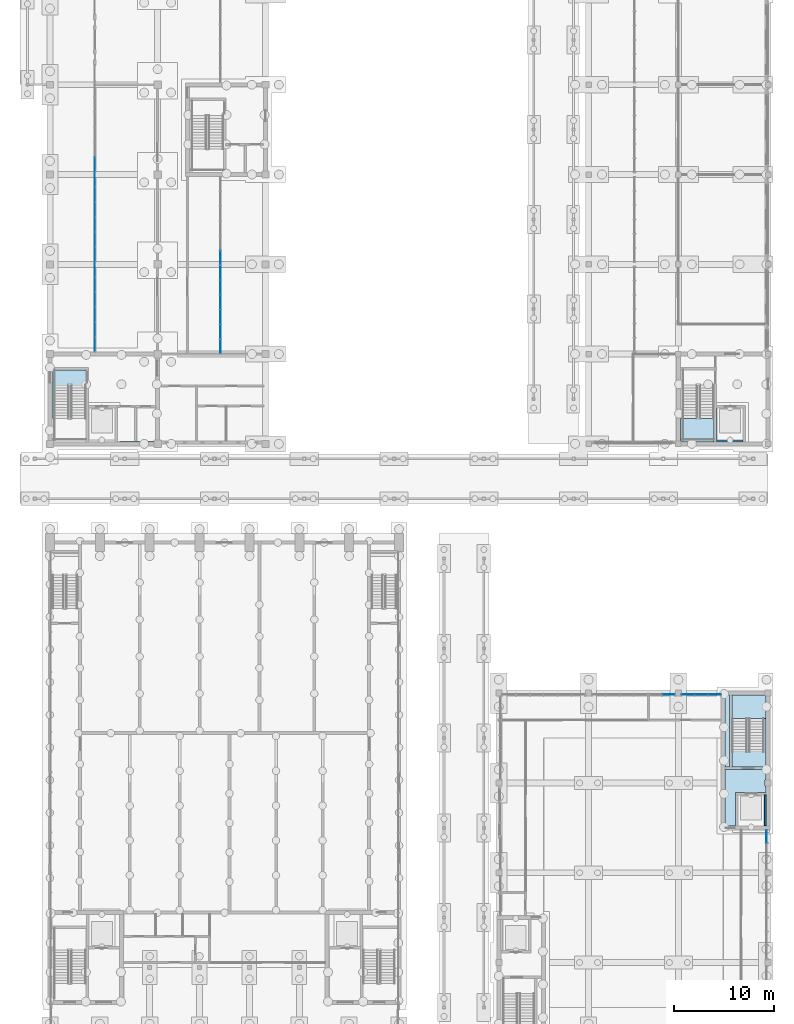
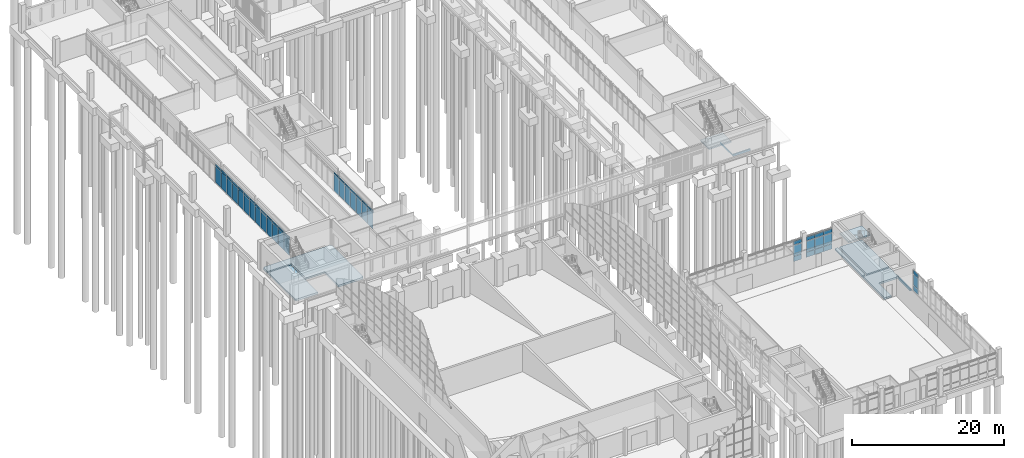
# One storey, part 58 of 106: 55 plates, 9 slabs, 7 elements without a shape of their own.
"""IFC4 building model written with IfcOpenShell, lengths in metres."""

from ifc_helpers import new_model, si_unit, direction, frame, origin, origin_2d, place, context, subcontext, project, spatial, polyline, rectangle, outline, extrude, material, layer, layer_set, type_object, element, aggregate, save


model = new_model("IFC4")

# Units and contexts
model_context = context("Model", 3, precision=1e-05, world=origin(), true_north=direction((0.0, 1.0)))
body_context = subcontext(model_context, "Body", "Model", "MODEL_VIEW")
ifc_project = project(units=[si_unit("LENGTHUNIT", "METRE"), si_unit("AREAUNIT", "SQUARE_METRE"), si_unit("VOLUMEUNIT", "CUBIC_METRE"), si_unit("PLANEANGLEUNIT", "RADIAN"), si_unit("MASSUNIT", "GRAM", prefix="KILO")], contexts=[model_context])

# Site, building, storey
site_placement = place(None, origin())
site = spatial("IfcSite", under=ifc_project, at=site_placement, CompositionType="ELEMENT")
building_placement = place(site_placement, origin())
building = spatial("IfcBuilding", under=site, at=building_placement, Name="Merrow Basin Faculty of Sciences", CompositionType="ELEMENT")
storey_placement = place(building_placement, origin())
storey = spatial("IfcBuildingStorey", under=building, at=storey_placement, Name="L00", CompositionType="ELEMENT", Elevation=0.0)

# Slabs
ifc_material_1 = material(Name="Concrete C40/50", Category="concrete")
ifc_layer_1 = layer(ifc_material_1, 0.300048828125)
ifc_layer_set_1 = layer_set([ifc_layer_1], Name="Ground slab 300 Concrete C40/50")
slab_type_1 = type_object("IfcSlabType", Name="Ground slab 300 Concrete C40/50", PredefinedType="BASESLAB", material=ifc_layer_set_1)
slab_1_placement = place(storey_placement, frame((0.0, 0.0, -0.300048828125)))
element("IfcSlab", 1, at=slab_1_placement, inside=storey, type_object=slab_type_1, Name="SL3 ground L00 012", PredefinedType="BASESLAB", context=body_context, shape_type="SweptSolid", body=[
    extrude(outline(polyline([(69.5, 61.199951171875), (66.85009765625, 61.199951171875), (66.85009765625, 64.60009765625), (66.89990234375, 64.60009765625), (66.89990234375, 61.39990234375), (69.5, 61.39990234375), (69.5, 61.199951171875)])), origin(), (0.0, 0.0, 1.0), 0.300048828125),
])
slab_2_placement = place(storey_placement, frame((0.0, 0.0, -0.300048828125)))
element("IfcSlab", 2, at=slab_2_placement, inside=storey, type_object=slab_type_1, Name="SL3 ground L00 002", PredefinedType="BASESLAB", context=body_context, shape_type="SweptSolid", body=[
    extrude(outline(polyline([(68.39990234375, 28.60009765625), (68.39990234375, 35.800048828125), (71.699951171875, 35.800048828125), (71.699951171875, 35.699951171875), (71.800048828125, 35.699951171875), (71.800048828125, 28.60009765625), (68.39990234375, 28.60009765625)])), origin(), (0.0, 0.0, 1.0), 0.300048828125),
])
slab_3_placement = place(storey_placement, frame((0.0, 0.0, -0.300048828125)))
element("IfcSlab", 3, at=slab_3_placement, inside=storey, type_object=slab_type_1, Name="SL3 ground L00 004", PredefinedType="BASESLAB", context=body_context, shape_type="SweptSolid", body=[
    extrude(outline(polyline([(71.800048828125, 26.050048828125), (68.75, 26.050048828125), (68.75, 25.800048828125), (68.75, 22.699951171875), (67.699951171875, 22.699951171875), (67.699951171875, 28.35009765625), (71.800048828125, 28.35009765625), (71.800048828125, 27.300048828125), (71.699951171875, 27.300048828125), (71.699951171875, 26.699951171875), (71.800048828125, 26.699951171875), (71.800048828125, 26.050048828125)])), origin(), (0.0, 0.0, 1.0), 0.300048828125),
])
slab_4_placement = place(storey_placement, frame((0.0, 0.0, -0.300048828125)))
element("IfcSlab", 4, at=slab_4_placement, inside=storey, type_object=slab_type_1, Name="SL3 ground L00 007", PredefinedType="BASESLAB", context=body_context, shape_type="SweptSolid", body=[
    extrude(outline(polyline([(67.699951171875, 28.60009765625), (67.699951171875, 35.800048828125), (68.14990234375, 35.800048828125), (68.14990234375, 28.60009765625), (67.699951171875, 28.60009765625)])), origin(), (0.0, 0.0, 1.0), 0.300048828125),
])
slab_5_placement = place(storey_placement, frame((0.0, 0.0, -0.300048828125)))
element("IfcSlab", 5, at=slab_5_placement, inside=storey, type_object=slab_type_1, Name="SL3 ground L00 008", PredefinedType="BASESLAB", context=body_context, shape_type="SweptSolid", body=[
    extrude(outline(polyline([(71.800048828125, 25.800048828125), (71.800048828125, 22.699951171875), (71.60009765625, 22.699951171875), (71.60009765625, 25.800048828125), (71.800048828125, 25.800048828125)])), origin(), (0.0, 0.0, 1.0), 0.300048828125),
])
slab_6_placement = place(storey_placement, frame((0.0, 0.0, -0.300048828125)))
element("IfcSlab", 6, at=slab_6_placement, inside=storey, type_object=slab_type_1, Name="SL3 ground L00 002", PredefinedType="BASESLAB", context=body_context, shape_type="SweptSolid", body=[
    extrude(outline(polyline([(0.35009765625, 69.800048828125), (10.425048828125, 69.800048828125), (10.425048828125, 69.625), (10.60009765625, 69.625), (10.60009765625, 61.375), (10.425048828125, 61.375), (10.425048828125, 61.199951171875), (6.75, 61.199951171875), (6.75, 64.60009765625), (6.75, 64.85009765625), (3.85009765625, 64.85009765625), (3.85009765625, 68.39990234375), (3.85009765625, 68.64990234375), (0.199951171875, 68.64990234375), (0.199951171875, 69.64990234375), (0.35009765625, 69.64990234375), (0.35009765625, 69.800048828125)])), origin(), (0.0, 0.0, 1.0), 0.300048828125),
])
slab_7_placement = place(storey_placement, frame((0.0, 0.0, -0.300048828125)))
element("IfcSlab", 7, at=slab_7_placement, inside=storey, type_object=slab_type_1, Name="SL3 ground L00 007", PredefinedType="BASESLAB", context=body_context, shape_type="SweptSolid", body=[
    extrude(outline(polyline([(3.60009765625, 68.39990234375), (3.60009765625, 61.199951171875), (0.35009765625, 61.199951171875), (0.35009765625, 61.35009765625), (0.199951171875, 61.35009765625), (0.199951171875, 68.39990234375), (3.60009765625, 68.39990234375)])), origin(), (0.0, 0.0, 1.0), 0.300048828125),
])

# Curtain wall, plate
ifc_material_2 = material(Name="Aluminium alloy 6063", Category="aluminium")
curtain_wall_type_1 = type_object("IfcCurtainWallType", Name="Atrium concourse curtain wall 300", PredefinedType="NOTDEFINED", material=ifc_material_2)
curtain_wall_1_placement = place(storey_placement, origin())
curtain_wall_1 = element("IfcCurtainWall", 8, at=curtain_wall_1_placement, inside=storey, type_object=curtain_wall_type_1, Name="N curtain wall L00 3", PredefinedType="NOTDEFINED")
ifc_material_3 = material(Name="Insulated aluminium spandrel panel", Category="aluminium")
ifc_layer_2 = layer(ifc_material_3, 0.052001953125)
ifc_layer_set_2 = layer_set([ifc_layer_2], Name="Insulated spandrel panel 52")
plate_type_1 = type_object("IfcPlateType", Name="Insulated spandrel panel 52", PredefinedType="CURTAIN_PANEL", material=ifc_layer_set_2)
plate_1_placement = place(storey_placement, frame((62.02880859375, 35.85009765625, 0.06005859375), z_axis=(0.0, 0.0, 1.0), x_axis=(1.0, 0.0, 0.0)))
plate_1 = element("IfcPlate", 9, at=plate_1_placement, type_object=plate_type_1, Name="CW6 panel 2.1", PredefinedType="CURTAIN_PANEL", context=body_context, shape_type="SweptSolid", body=[
    extrude(rectangle(XDim=1.222412109375, YDim=0.052001953125, at=origin_2d()), origin(), (0.0, 0.0, 1.0), 0.81005859375),
])

# Curtain wall, plates
curtain_wall_2_placement = place(storey_placement, origin())
curtain_wall_2 = element("IfcCurtainWall", 10, at=curtain_wall_2_placement, inside=storey, type_object=curtain_wall_type_1, Name="N curtain wall L00 4", PredefinedType="NOTDEFINED")
plate_2_placement = place(storey_placement, frame((63.981689453125, 35.85009765625, 0.06005859375), z_axis=(0.0, 0.0, 1.0), x_axis=(1.0, 0.0, 0.0)))
plate_2 = element("IfcPlate", 11, at=plate_2_placement, type_object=plate_type_1, Name="CW6 panel 1.1", PredefinedType="CURTAIN_PANEL", context=body_context, shape_type="SweptSolid", body=[
    extrude(rectangle(XDim=1.243408203125, YDim=0.052001953125, at=origin_2d()), origin(), (0.0, 0.0, 1.0), 0.81005859375),
])
plate_3_placement = place(storey_placement, frame((65.300048828125, 35.85009765625, 0.06005859375), z_axis=(0.0, 0.0, 1.0), x_axis=(1.0, 0.0, 0.0)))
plate_3 = element("IfcPlate", 12, at=plate_3_placement, type_object=plate_type_1, Name="CW6 panel 2.1", PredefinedType="CURTAIN_PANEL", context=body_context, shape_type="SweptSolid", body=[
    extrude(rectangle(XDim=1.2734375, YDim=0.052001953125, at=origin_2d()), origin(), (0.0, 0.0, 1.0), 0.81005859375),
])
plate_4_placement = place(storey_placement, frame((66.618408203125, 35.85009765625, 0.06005859375), z_axis=(0.0, 0.0, 1.0), x_axis=(1.0, 0.0, 0.0)))
plate_4 = element("IfcPlate", 13, at=plate_4_placement, type_object=plate_type_1, Name="CW6 panel 3.1", PredefinedType="CURTAIN_PANEL", context=body_context, shape_type="SweptSolid", body=[
    extrude(rectangle(XDim=1.243408203125, YDim=0.052001953125, at=origin_2d()), origin(), (0.0, 0.0, 1.0), 0.81005859375),
])

# Curtain wall, plate
curtain_wall_3_placement = place(storey_placement, origin())
curtain_wall_3 = element("IfcCurtainWall", 14, at=curtain_wall_3_placement, inside=storey, type_object=curtain_wall_type_1, Name="E curtain wall L00 4", PredefinedType="NOTDEFINED")
plate_5_placement = place(storey_placement, frame((71.85009765625, 21.618408203125, 0.06005859375), z_axis=(0.0, 0.0, 1.0), x_axis=(0.0, 1.0, 0.0)))
plate_5 = element("IfcPlate", 15, at=plate_5_placement, type_object=plate_type_1, Name="CW6 panel 3.1", PredefinedType="CURTAIN_PANEL", context=body_context, shape_type="SweptSolid", body=[
    extrude(rectangle(XDim=1.243408203125, YDim=0.052001953125, at=origin_2d()), origin(), (0.0, 0.0, 1.0), 0.81005859375),
])

# Curtain wall, plates
ifc_material_4 = material(Name="Aluminium alloy 6063", Category="aluminium")
curtain_wall_type_2 = type_object("IfcCurtainWallType", Name="Bar ground curtain wall 200", PredefinedType="NOTDEFINED", material=ifc_material_4)
curtain_wall_4_placement = place(storey_placement, origin())
curtain_wall_4 = element("IfcCurtainWall", 16, at=curtain_wall_4_placement, inside=storey, type_object=curtain_wall_type_2, Name="Ground curtain wall L00 1", PredefinedType="NOTDEFINED")
ifc_material_5 = material(Name="Laminated safety glass", Category="glass")
ifc_layer_3 = layer(ifc_material_5, 0.035888671875)
ifc_layer_set_3 = layer_set([ifc_layer_3], Name="Laminated safety glass panel 36")
plate_type_2 = type_object("IfcPlateType", Name="Laminated safety glass panel 36", PredefinedType="CURTAIN_PANEL", material=ifc_layer_set_3)
plate_6_placement = place(storey_placement, frame((4.5, 70.9677734375, 0.06005859375), z_axis=(0.0, 0.0, 1.0), x_axis=(0.0, 1.0, 0.0)))
plate_6 = element("IfcPlate", 17, at=plate_6_placement, type_object=plate_type_2, Name="CW2 panel 1.1", PredefinedType="CURTAIN_PANEL", context=body_context, shape_type="SweptSolid", body=[
    extrude(rectangle(XDim=1.41552734375, YDim=0.035888671875, at=origin_2d()), origin(), (0.0, 0.0, 1.0), 2.610107421875),
])
plate_7_placement = place(storey_placement, frame((4.5, 70.9677734375, 2.72998046875), z_axis=(0.0, 0.0, 1.0), x_axis=(0.0, 1.0, 0.0)))
plate_7 = element("IfcPlate", 18, at=plate_7_placement, type_object=plate_type_2, Name="CW2 panel 1.2", PredefinedType="CURTAIN_PANEL", context=body_context, shape_type="SweptSolid", body=[
    extrude(rectangle(XDim=1.41552734375, YDim=0.035888671875, at=origin_2d()), origin(), (0.0, 0.0, 1.0), 0.35009765625),
])
plate_8_placement = place(storey_placement, frame((4.5, 72.458251953125, 0.06005859375), z_axis=(0.0, 0.0, 1.0), x_axis=(0.0, 1.0, 0.0)))
plate_8 = element("IfcPlate", 19, at=plate_8_placement, type_object=plate_type_2, Name="CW2 panel 2.1", PredefinedType="CURTAIN_PANEL", context=body_context, shape_type="SweptSolid", body=[
    extrude(rectangle(XDim=1.445556640625, YDim=0.035888671875, at=origin_2d()), origin(), (0.0, 0.0, 1.0), 2.610107421875),
])
plate_9_placement = place(storey_placement, frame((4.5, 72.458251953125, 2.72998046875), z_axis=(0.0, 0.0, 1.0), x_axis=(0.0, 1.0, 0.0)))
plate_9 = element("IfcPlate", 20, at=plate_9_placement, type_object=plate_type_2, Name="CW2 panel 2.2", PredefinedType="CURTAIN_PANEL", context=body_context, shape_type="SweptSolid", body=[
    extrude(rectangle(XDim=1.445556640625, YDim=0.035888671875, at=origin_2d()), origin(), (0.0, 0.0, 1.0), 0.35009765625),
])
plate_10_placement = place(storey_placement, frame((4.5, 73.9638671875, 0.06005859375), z_axis=(0.0, 0.0, 1.0), x_axis=(0.0, 1.0, 0.0)))
plate_10 = element("IfcPlate", 21, at=plate_10_placement, type_object=plate_type_2, Name="CW2 panel 3.1", PredefinedType="CURTAIN_PANEL", context=body_context, shape_type="SweptSolid", body=[
    extrude(rectangle(XDim=1.445556640625, YDim=0.035888671875, at=origin_2d()), origin(), (0.0, 0.0, 1.0), 2.610107421875),
])
plate_11_placement = place(storey_placement, frame((4.5, 73.9638671875, 2.72998046875), z_axis=(0.0, 0.0, 1.0), x_axis=(0.0, 1.0, 0.0)))
plate_11 = element("IfcPlate", 22, at=plate_11_placement, type_object=plate_type_2, Name="CW2 panel 3.2", PredefinedType="CURTAIN_PANEL", context=body_context, shape_type="SweptSolid", body=[
    extrude(rectangle(XDim=1.445556640625, YDim=0.035888671875, at=origin_2d()), origin(), (0.0, 0.0, 1.0), 0.35009765625),
])
plate_12_placement = place(storey_placement, frame((4.5, 75.469482421875, 0.06005859375), z_axis=(0.0, 0.0, 1.0), x_axis=(0.0, 1.0, 0.0)))
plate_12 = element("IfcPlate", 23, at=plate_12_placement, type_object=plate_type_2, Name="CW2 panel 4.1", PredefinedType="CURTAIN_PANEL", context=body_context, shape_type="SweptSolid", body=[
    extrude(rectangle(XDim=1.445556640625, YDim=0.035888671875, at=origin_2d()), origin(), (0.0, 0.0, 1.0), 2.610107421875),
])
plate_13_placement = place(storey_placement, frame((4.5, 75.469482421875, 2.72998046875), z_axis=(0.0, 0.0, 1.0), x_axis=(0.0, 1.0, 0.0)))
plate_13 = element("IfcPlate", 24, at=plate_13_placement, type_object=plate_type_2, Name="CW2 panel 4.2", PredefinedType="CURTAIN_PANEL", context=body_context, shape_type="SweptSolid", body=[
    extrude(rectangle(XDim=1.445556640625, YDim=0.035888671875, at=origin_2d()), origin(), (0.0, 0.0, 1.0), 0.35009765625),
])
plate_14_placement = place(storey_placement, frame((4.5, 76.97509765625, 0.06005859375), z_axis=(0.0, 0.0, 1.0), x_axis=(0.0, 1.0, 0.0)))
plate_14 = element("IfcPlate", 25, at=plate_14_placement, type_object=plate_type_2, Name="CW2 panel 5.1", PredefinedType="CURTAIN_PANEL", context=body_context, shape_type="SweptSolid", body=[
    extrude(rectangle(XDim=1.445556640625, YDim=0.035888671875, at=origin_2d()), origin(), (0.0, 0.0, 1.0), 2.610107421875),
])
plate_15_placement = place(storey_placement, frame((4.5, 76.97509765625, 2.72998046875), z_axis=(0.0, 0.0, 1.0), x_axis=(0.0, 1.0, 0.0)))
plate_15 = element("IfcPlate", 26, at=plate_15_placement, type_object=plate_type_2, Name="CW2 panel 5.2", PredefinedType="CURTAIN_PANEL", context=body_context, shape_type="SweptSolid", body=[
    extrude(rectangle(XDim=1.445556640625, YDim=0.035888671875, at=origin_2d()), origin(), (0.0, 0.0, 1.0), 0.35009765625),
])
plate_16_placement = place(storey_placement, frame((4.5, 78.48046875, 0.06005859375), z_axis=(0.0, 0.0, 1.0), x_axis=(0.0, 1.0, 0.0)))
plate_16 = element("IfcPlate", 27, at=plate_16_placement, type_object=plate_type_2, Name="CW2 panel 6.1", PredefinedType="CURTAIN_PANEL", context=body_context, shape_type="SweptSolid", body=[
    extrude(rectangle(XDim=1.445556640625, YDim=0.035888671875, at=origin_2d()), origin(), (0.0, 0.0, 1.0), 2.610107421875),
])
plate_17_placement = place(storey_placement, frame((4.5, 78.48046875, 2.72998046875), z_axis=(0.0, 0.0, 1.0), x_axis=(0.0, 1.0, 0.0)))
plate_17 = element("IfcPlate", 28, at=plate_17_placement, type_object=plate_type_2, Name="CW2 panel 6.2", PredefinedType="CURTAIN_PANEL", context=body_context, shape_type="SweptSolid", body=[
    extrude(rectangle(XDim=1.445556640625, YDim=0.035888671875, at=origin_2d()), origin(), (0.0, 0.0, 1.0), 0.35009765625),
])
plate_18_placement = place(storey_placement, frame((4.5, 79.986083984375, 0.06005859375), z_axis=(0.0, 0.0, 1.0), x_axis=(0.0, 1.0, 0.0)))
plate_18 = element("IfcPlate", 29, at=plate_18_placement, type_object=plate_type_2, Name="CW2 panel 7.1", PredefinedType="CURTAIN_PANEL", context=body_context, shape_type="SweptSolid", body=[
    extrude(rectangle(XDim=1.445556640625, YDim=0.035888671875, at=origin_2d()), origin(), (0.0, 0.0, 1.0), 2.610107421875),
])
plate_19_placement = place(storey_placement, frame((4.5, 79.986083984375, 2.72998046875), z_axis=(0.0, 0.0, 1.0), x_axis=(0.0, 1.0, 0.0)))
plate_19 = element("IfcPlate", 30, at=plate_19_placement, type_object=plate_type_2, Name="CW2 panel 7.2", PredefinedType="CURTAIN_PANEL", context=body_context, shape_type="SweptSolid", body=[
    extrude(rectangle(XDim=1.445556640625, YDim=0.035888671875, at=origin_2d()), origin(), (0.0, 0.0, 1.0), 0.35009765625),
])
plate_20_placement = place(storey_placement, frame((4.5, 81.49169921875, 0.06005859375), z_axis=(0.0, 0.0, 1.0), x_axis=(0.0, 1.0, 0.0)))
plate_20 = element("IfcPlate", 31, at=plate_20_placement, type_object=plate_type_2, Name="CW2 panel 8.1", PredefinedType="CURTAIN_PANEL", context=body_context, shape_type="SweptSolid", body=[
    extrude(rectangle(XDim=1.445556640625, YDim=0.035888671875, at=origin_2d()), origin(), (0.0, 0.0, 1.0), 2.610107421875),
])
plate_21_placement = place(storey_placement, frame((4.5, 81.49169921875, 2.72998046875), z_axis=(0.0, 0.0, 1.0), x_axis=(0.0, 1.0, 0.0)))
plate_21 = element("IfcPlate", 32, at=plate_21_placement, type_object=plate_type_2, Name="CW2 panel 8.2", PredefinedType="CURTAIN_PANEL", context=body_context, shape_type="SweptSolid", body=[
    extrude(rectangle(XDim=1.445556640625, YDim=0.035888671875, at=origin_2d()), origin(), (0.0, 0.0, 1.0), 0.35009765625),
])
plate_22_placement = place(storey_placement, frame((4.5, 82.997314453125, 0.06005859375), z_axis=(0.0, 0.0, 1.0), x_axis=(0.0, 1.0, 0.0)))
plate_22 = element("IfcPlate", 33, at=plate_22_placement, type_object=plate_type_2, Name="CW2 panel 9.1", PredefinedType="CURTAIN_PANEL", context=body_context, shape_type="SweptSolid", body=[
    extrude(rectangle(XDim=1.445556640625, YDim=0.035888671875, at=origin_2d()), origin(), (0.0, 0.0, 1.0), 2.610107421875),
])
plate_23_placement = place(storey_placement, frame((4.5, 82.997314453125, 2.72998046875), z_axis=(0.0, 0.0, 1.0), x_axis=(0.0, 1.0, 0.0)))
plate_23 = element("IfcPlate", 34, at=plate_23_placement, type_object=plate_type_2, Name="CW2 panel 9.2", PredefinedType="CURTAIN_PANEL", context=body_context, shape_type="SweptSolid", body=[
    extrude(rectangle(XDim=1.445556640625, YDim=0.035888671875, at=origin_2d()), origin(), (0.0, 0.0, 1.0), 0.35009765625),
])
plate_24_placement = place(storey_placement, frame((4.5, 84.502685546875, 0.06005859375), z_axis=(0.0, 0.0, 1.0), x_axis=(0.0, 1.0, 0.0)))
plate_24 = element("IfcPlate", 35, at=plate_24_placement, type_object=plate_type_2, Name="CW2 panel 10.1", PredefinedType="CURTAIN_PANEL", context=body_context, shape_type="SweptSolid", body=[
    extrude(rectangle(XDim=1.445556640625, YDim=0.035888671875, at=origin_2d()), origin(), (0.0, 0.0, 1.0), 2.610107421875),
])
plate_25_placement = place(storey_placement, frame((4.5, 84.502685546875, 2.72998046875), z_axis=(0.0, 0.0, 1.0), x_axis=(0.0, 1.0, 0.0)))
plate_25 = element("IfcPlate", 36, at=plate_25_placement, type_object=plate_type_2, Name="CW2 panel 10.2", PredefinedType="CURTAIN_PANEL", context=body_context, shape_type="SweptSolid", body=[
    extrude(rectangle(XDim=1.445556640625, YDim=0.035888671875, at=origin_2d()), origin(), (0.0, 0.0, 1.0), 0.35009765625),
])
plate_26_placement = place(storey_placement, frame((4.5, 86.00830078125, 0.06005859375), z_axis=(0.0, 0.0, 1.0), x_axis=(0.0, 1.0, 0.0)))
plate_26 = element("IfcPlate", 37, at=plate_26_placement, type_object=plate_type_2, Name="CW2 panel 11.1", PredefinedType="CURTAIN_PANEL", context=body_context, shape_type="SweptSolid", body=[
    extrude(rectangle(XDim=1.445556640625, YDim=0.035888671875, at=origin_2d()), origin(), (0.0, 0.0, 1.0), 2.610107421875),
])
plate_27_placement = place(storey_placement, frame((4.5, 86.00830078125, 2.72998046875), z_axis=(0.0, 0.0, 1.0), x_axis=(0.0, 1.0, 0.0)))
plate_27 = element("IfcPlate", 38, at=plate_27_placement, type_object=plate_type_2, Name="CW2 panel 11.2", PredefinedType="CURTAIN_PANEL", context=body_context, shape_type="SweptSolid", body=[
    extrude(rectangle(XDim=1.445556640625, YDim=0.035888671875, at=origin_2d()), origin(), (0.0, 0.0, 1.0), 0.35009765625),
])
plate_28_placement = place(storey_placement, frame((4.5, 87.513916015625, 0.06005859375), z_axis=(0.0, 0.0, 1.0), x_axis=(0.0, 1.0, 0.0)))
plate_28 = element("IfcPlate", 39, at=plate_28_placement, type_object=plate_type_2, Name="CW2 panel 12.1", PredefinedType="CURTAIN_PANEL", context=body_context, shape_type="SweptSolid", body=[
    extrude(rectangle(XDim=1.445556640625, YDim=0.035888671875, at=origin_2d()), origin(), (0.0, 0.0, 1.0), 2.610107421875),
])
plate_29_placement = place(storey_placement, frame((4.5, 87.513916015625, 2.72998046875), z_axis=(0.0, 0.0, 1.0), x_axis=(0.0, 1.0, 0.0)))
plate_29 = element("IfcPlate", 40, at=plate_29_placement, type_object=plate_type_2, Name="CW2 panel 12.2", PredefinedType="CURTAIN_PANEL", context=body_context, shape_type="SweptSolid", body=[
    extrude(rectangle(XDim=1.445556640625, YDim=0.035888671875, at=origin_2d()), origin(), (0.0, 0.0, 1.0), 0.35009765625),
])
plate_30_placement = place(storey_placement, frame((4.5, 89.01953125, 0.06005859375), z_axis=(0.0, 0.0, 1.0), x_axis=(0.0, 1.0, 0.0)))
plate_30 = element("IfcPlate", 41, at=plate_30_placement, type_object=plate_type_2, Name="CW2 panel 13.1", PredefinedType="CURTAIN_PANEL", context=body_context, shape_type="SweptSolid", body=[
    extrude(rectangle(XDim=1.445556640625, YDim=0.035888671875, at=origin_2d()), origin(), (0.0, 0.0, 1.0), 2.610107421875),
])
plate_31_placement = place(storey_placement, frame((4.5, 89.01953125, 2.72998046875), z_axis=(0.0, 0.0, 1.0), x_axis=(0.0, 1.0, 0.0)))
plate_31 = element("IfcPlate", 42, at=plate_31_placement, type_object=plate_type_2, Name="CW2 panel 13.2", PredefinedType="CURTAIN_PANEL", context=body_context, shape_type="SweptSolid", body=[
    extrude(rectangle(XDim=1.445556640625, YDim=0.035888671875, at=origin_2d()), origin(), (0.0, 0.0, 1.0), 0.35009765625),
])
aggregate(curtain_wall_4, [plate_6, plate_7, plate_8, plate_9, plate_10, plate_11, plate_12, plate_13, plate_14, plate_15, plate_16, plate_17, plate_18, plate_19, plate_20, plate_21, plate_22, plate_23, plate_24, plate_25, plate_26, plate_27, plate_28, plate_29, plate_30, plate_31])

curtain_wall_5_placement = place(storey_placement, origin())
curtain_wall_5 = element("IfcCurtainWall", 43, at=curtain_wall_5_placement, inside=storey, type_object=curtain_wall_type_2, Name="Ground curtain wall L00 5", PredefinedType="NOTDEFINED")
plate_32_placement = place(storey_placement, frame((17.10009765625, 70.756591796875, 0.06005859375), z_axis=(0.0, 0.0, 1.0), x_axis=(0.0, 1.0, 0.0)))
plate_32 = element("IfcPlate", 44, at=plate_32_placement, type_object=plate_type_2, Name="CW2 panel 1.1", PredefinedType="CURTAIN_PANEL", context=body_context, shape_type="SweptSolid", body=[
    extrude(rectangle(XDim=1.393310546875, YDim=0.035888671875, at=origin_2d()), origin(), (0.0, 0.0, 1.0), 2.610107421875),
])
plate_33_placement = place(storey_placement, frame((17.10009765625, 70.756591796875, 2.72998046875), z_axis=(0.0, 0.0, 1.0), x_axis=(0.0, 1.0, 0.0)))
plate_33 = element("IfcPlate", 45, at=plate_33_placement, type_object=plate_type_2, Name="CW2 panel 1.2", PredefinedType="CURTAIN_PANEL", context=body_context, shape_type="SweptSolid", body=[
    extrude(rectangle(XDim=1.393310546875, YDim=0.035888671875, at=origin_2d()), origin(), (0.0, 0.0, 1.0), 0.35009765625),
])
plate_34_placement = place(storey_placement, frame((17.10009765625, 72.22509765625, 0.06005859375), z_axis=(0.0, 0.0, 1.0), x_axis=(0.0, 1.0, 0.0)))
plate_34 = element("IfcPlate", 46, at=plate_34_placement, type_object=plate_type_2, Name="CW2 panel 2.1", PredefinedType="CURTAIN_PANEL", context=body_context, shape_type="SweptSolid", body=[
    extrude(rectangle(XDim=1.42333984375, YDim=0.035888671875, at=origin_2d()), origin(), (0.0, 0.0, 1.0), 2.610107421875),
])
plate_35_placement = place(storey_placement, frame((17.10009765625, 72.22509765625, 2.72998046875), z_axis=(0.0, 0.0, 1.0), x_axis=(0.0, 1.0, 0.0)))
plate_35 = element("IfcPlate", 47, at=plate_35_placement, type_object=plate_type_2, Name="CW2 panel 2.2", PredefinedType="CURTAIN_PANEL", context=body_context, shape_type="SweptSolid", body=[
    extrude(rectangle(XDim=1.42333984375, YDim=0.035888671875, at=origin_2d()), origin(), (0.0, 0.0, 1.0), 0.35009765625),
])
plate_36_placement = place(storey_placement, frame((17.10009765625, 73.708251953125, 0.06005859375), z_axis=(0.0, 0.0, 1.0), x_axis=(0.0, 1.0, 0.0)))
plate_36 = element("IfcPlate", 48, at=plate_36_placement, type_object=plate_type_2, Name="CW2 panel 3.1", PredefinedType="CURTAIN_PANEL", context=body_context, shape_type="SweptSolid", body=[
    extrude(rectangle(XDim=1.42333984375, YDim=0.035888671875, at=origin_2d()), origin(), (0.0, 0.0, 1.0), 2.610107421875),
])
plate_37_placement = place(storey_placement, frame((17.10009765625, 73.708251953125, 2.72998046875), z_axis=(0.0, 0.0, 1.0), x_axis=(0.0, 1.0, 0.0)))
plate_37 = element("IfcPlate", 49, at=plate_37_placement, type_object=plate_type_2, Name="CW2 panel 3.2", PredefinedType="CURTAIN_PANEL", context=body_context, shape_type="SweptSolid", body=[
    extrude(rectangle(XDim=1.42333984375, YDim=0.035888671875, at=origin_2d()), origin(), (0.0, 0.0, 1.0), 0.35009765625),
])
plate_38_placement = place(storey_placement, frame((17.10009765625, 75.191650390625, 0.06005859375), z_axis=(0.0, 0.0, 1.0), x_axis=(0.0, 1.0, 0.0)))
plate_38 = element("IfcPlate", 50, at=plate_38_placement, type_object=plate_type_2, Name="CW2 panel 4.1", PredefinedType="CURTAIN_PANEL", context=body_context, shape_type="SweptSolid", body=[
    extrude(rectangle(XDim=1.42333984375, YDim=0.035888671875, at=origin_2d()), origin(), (0.0, 0.0, 1.0), 2.610107421875),
])
plate_39_placement = place(storey_placement, frame((17.10009765625, 75.191650390625, 2.72998046875), z_axis=(0.0, 0.0, 1.0), x_axis=(0.0, 1.0, 0.0)))
plate_39 = element("IfcPlate", 51, at=plate_39_placement, type_object=plate_type_2, Name="CW2 panel 4.2", PredefinedType="CURTAIN_PANEL", context=body_context, shape_type="SweptSolid", body=[
    extrude(rectangle(XDim=1.42333984375, YDim=0.035888671875, at=origin_2d()), origin(), (0.0, 0.0, 1.0), 0.35009765625),
])
plate_40_placement = place(storey_placement, frame((17.10009765625, 76.675048828125, 0.06005859375), z_axis=(0.0, 0.0, 1.0), x_axis=(0.0, 1.0, 0.0)))
plate_40 = element("IfcPlate", 52, at=plate_40_placement, type_object=plate_type_2, Name="CW2 panel 5.1", PredefinedType="CURTAIN_PANEL", context=body_context, shape_type="SweptSolid", body=[
    extrude(rectangle(XDim=1.42333984375, YDim=0.035888671875, at=origin_2d()), origin(), (0.0, 0.0, 1.0), 2.610107421875),
])
plate_41_placement = place(storey_placement, frame((17.10009765625, 76.675048828125, 2.72998046875), z_axis=(0.0, 0.0, 1.0), x_axis=(0.0, 1.0, 0.0)))
plate_41 = element("IfcPlate", 53, at=plate_41_placement, type_object=plate_type_2, Name="CW2 panel 5.2", PredefinedType="CURTAIN_PANEL", context=body_context, shape_type="SweptSolid", body=[
    extrude(rectangle(XDim=1.42333984375, YDim=0.035888671875, at=origin_2d()), origin(), (0.0, 0.0, 1.0), 0.35009765625),
])
plate_42_placement = place(storey_placement, frame((17.10009765625, 78.158447265625, 0.06005859375), z_axis=(0.0, 0.0, 1.0), x_axis=(0.0, 1.0, 0.0)))
plate_42 = element("IfcPlate", 54, at=plate_42_placement, type_object=plate_type_2, Name="CW2 panel 6.1", PredefinedType="CURTAIN_PANEL", context=body_context, shape_type="SweptSolid", body=[
    extrude(rectangle(XDim=1.42333984375, YDim=0.035888671875, at=origin_2d()), origin(), (0.0, 0.0, 1.0), 2.610107421875),
])
plate_43_placement = place(storey_placement, frame((17.10009765625, 78.158447265625, 2.72998046875), z_axis=(0.0, 0.0, 1.0), x_axis=(0.0, 1.0, 0.0)))
plate_43 = element("IfcPlate", 55, at=plate_43_placement, type_object=plate_type_2, Name="CW2 panel 6.2", PredefinedType="CURTAIN_PANEL", context=body_context, shape_type="SweptSolid", body=[
    extrude(rectangle(XDim=1.42333984375, YDim=0.035888671875, at=origin_2d()), origin(), (0.0, 0.0, 1.0), 0.35009765625),
])
plate_44_placement = place(storey_placement, frame((17.10009765625, 79.6416015625, 0.06005859375), z_axis=(0.0, 0.0, 1.0), x_axis=(0.0, 1.0, 0.0)))
plate_44 = element("IfcPlate", 56, at=plate_44_placement, type_object=plate_type_2, Name="CW2 panel 7.1", PredefinedType="CURTAIN_PANEL", context=body_context, shape_type="SweptSolid", body=[
    extrude(rectangle(XDim=1.42333984375, YDim=0.035888671875, at=origin_2d()), origin(), (0.0, 0.0, 1.0), 2.610107421875),
])
plate_45_placement = place(storey_placement, frame((17.10009765625, 79.6416015625, 2.72998046875), z_axis=(0.0, 0.0, 1.0), x_axis=(0.0, 1.0, 0.0)))
plate_45 = element("IfcPlate", 57, at=plate_45_placement, type_object=plate_type_2, Name="CW2 panel 7.2", PredefinedType="CURTAIN_PANEL", context=body_context, shape_type="SweptSolid", body=[
    extrude(rectangle(XDim=1.42333984375, YDim=0.035888671875, at=origin_2d()), origin(), (0.0, 0.0, 1.0), 0.35009765625),
])
aggregate(curtain_wall_5, [plate_32, plate_33, plate_34, plate_35, plate_36, plate_37, plate_38, plate_39, plate_40, plate_41, plate_42, plate_43, plate_44, plate_45])

# Stair, slab
ifc_material_6 = material(Name="Concrete C40/50", Category="concrete")
stair_type = type_object("IfcStairType", Name="Concrete dog-leg stair Concrete C40/50", PredefinedType="HALF_TURN_STAIR", material=ifc_material_6)
stair_1_placement = place(storey_placement, origin())
stair_1 = element("IfcStair", 58, at=stair_1_placement, inside=storey, type_object=stair_type, Name="L00 Exit stair S", PredefinedType="HALF_TURN_STAIR")
ifc_material_7 = material(Name="Concrete C40/50", Category="concrete")
ifc_layer_4 = layer(ifc_material_7, 0.199951171875)
ifc_layer_set_4 = layer_set([ifc_layer_4], Name="Stair landing 200 Concrete C40/50")
slab_type_2 = type_object("IfcSlabType", Name="Stair landing 200 Concrete C40/50", PredefinedType="LANDING", material=ifc_layer_set_4)
slab_8_placement = place(storey_placement, frame((0.0, 0.0, 2.050048828125)))
slab_8 = element("IfcSlab", 59, at=slab_8_placement, type_object=slab_type_2, Name="ST-V2-S landing 1", PredefinedType="LANDING", context=body_context, shape_type="SweptSolid", body=[
    extrude(outline(polyline([(63.199951171875, 61.199951171875), (66.60009765625, 61.199951171875), (66.60009765625, 63.5400390625), (63.199951171875, 63.5400390625), (63.199951171875, 61.199951171875)])), origin(), (0.0, 0.0, 1.0), 0.199951171875),
])
aggregate(stair_1, [slab_8])

stair_2_placement = place(storey_placement, origin())
stair_2 = element("IfcStair", 60, at=stair_2_placement, inside=storey, type_object=stair_type, Name="L00 Exit stair E", PredefinedType="HALF_TURN_STAIR")
slab_9_placement = place(storey_placement, frame((0.0, 0.0, 2.050048828125)))
slab_9 = element("IfcSlab", 61, at=slab_9_placement, type_object=slab_type_2, Name="ST-V3-E landing 1", PredefinedType="LANDING", context=body_context, shape_type="SweptSolid", body=[
    extrude(outline(polyline([(68.39990234375, 33.4599609375), (71.800048828125, 33.4599609375), (71.800048828125, 35.800048828125), (68.39990234375, 35.800048828125), (68.39990234375, 33.4599609375)])), origin(), (0.0, 0.0, 1.0), 0.199951171875),
])
aggregate(stair_2, [slab_9])

# Plate
ifc_material_8 = material(Name="Low-E triple glazing", Category="glass")
ifc_layer_5 = layer(ifc_material_8, 0.0439453125)
ifc_layer_set_5 = layer_set([ifc_layer_5], Name="Triple glazed panel 44")
plate_type_3 = type_object("IfcPlateType", Name="Triple glazed panel 44", PredefinedType="CURTAIN_PANEL", material=ifc_layer_set_5)
plate_46_placement = place(storey_placement, frame((62.02880859375, 35.85009765625, 0.93017578125), z_axis=(0.0, 0.0, 1.0), x_axis=(1.0, 0.0, 0.0)))
plate_46 = element("IfcPlate", 62, at=plate_46_placement, type_object=plate_type_3, Name="CW6 panel 2.2", PredefinedType="CURTAIN_PANEL", context=body_context, shape_type="SweptSolid", body=[
    extrude(rectangle(XDim=1.222412109375, YDim=0.0439453125, at=origin_2d()), origin(), (0.0, 0.0, 1.0), 1.739990234375),
])

plate_47_placement = place(storey_placement, frame((62.02880859375, 35.85009765625, 2.72998046875), z_axis=(0.0, 0.0, 1.0), x_axis=(1.0, 0.0, 0.0)))
plate_47 = element("IfcPlate", 63, at=plate_47_placement, type_object=plate_type_3, Name="CW6 panel 2.3", PredefinedType="CURTAIN_PANEL", context=body_context, shape_type="SweptSolid", body=[
    extrude(rectangle(XDim=1.222412109375, YDim=0.0439453125, at=origin_2d()), origin(), (0.0, 0.0, 1.0), 0.610107421875),
])

aggregate(curtain_wall_1, [plate_1, plate_46, plate_47])

plate_48_placement = place(storey_placement, frame((63.981689453125, 35.85009765625, 0.93017578125), z_axis=(0.0, 0.0, 1.0), x_axis=(1.0, 0.0, 0.0)))
plate_48 = element("IfcPlate", 64, at=plate_48_placement, type_object=plate_type_3, Name="CW6 panel 1.2", PredefinedType="CURTAIN_PANEL", context=body_context, shape_type="SweptSolid", body=[
    extrude(rectangle(XDim=1.243408203125, YDim=0.0439453125, at=origin_2d()), origin(), (0.0, 0.0, 1.0), 1.739990234375),
])

plate_49_placement = place(storey_placement, frame((63.981689453125, 35.85009765625, 2.72998046875), z_axis=(0.0, 0.0, 1.0), x_axis=(1.0, 0.0, 0.0)))
plate_49 = element("IfcPlate", 65, at=plate_49_placement, type_object=plate_type_3, Name="CW6 panel 1.3", PredefinedType="CURTAIN_PANEL", context=body_context, shape_type="SweptSolid", body=[
    extrude(rectangle(XDim=1.243408203125, YDim=0.0439453125, at=origin_2d()), origin(), (0.0, 0.0, 1.0), 0.610107421875),
])

plate_50_placement = place(storey_placement, frame((65.300048828125, 35.85009765625, 0.93017578125), z_axis=(0.0, 0.0, 1.0), x_axis=(1.0, 0.0, 0.0)))
plate_50 = element("IfcPlate", 66, at=plate_50_placement, type_object=plate_type_3, Name="CW6 panel 2.2", PredefinedType="CURTAIN_PANEL", context=body_context, shape_type="SweptSolid", body=[
    extrude(rectangle(XDim=1.2734375, YDim=0.0439453125, at=origin_2d()), origin(), (0.0, 0.0, 1.0), 1.739990234375),
])

plate_51_placement = place(storey_placement, frame((65.300048828125, 35.85009765625, 2.72998046875), z_axis=(0.0, 0.0, 1.0), x_axis=(1.0, 0.0, 0.0)))
plate_51 = element("IfcPlate", 67, at=plate_51_placement, type_object=plate_type_3, Name="CW6 panel 2.3", PredefinedType="CURTAIN_PANEL", context=body_context, shape_type="SweptSolid", body=[
    extrude(rectangle(XDim=1.2734375, YDim=0.0439453125, at=origin_2d()), origin(), (0.0, 0.0, 1.0), 0.610107421875),
])

plate_52_placement = place(storey_placement, frame((66.618408203125, 35.85009765625, 0.93017578125), z_axis=(0.0, 0.0, 1.0), x_axis=(1.0, 0.0, 0.0)))
plate_52 = element("IfcPlate", 68, at=plate_52_placement, type_object=plate_type_3, Name="CW6 panel 3.2", PredefinedType="CURTAIN_PANEL", context=body_context, shape_type="SweptSolid", body=[
    extrude(rectangle(XDim=1.243408203125, YDim=0.0439453125, at=origin_2d()), origin(), (0.0, 0.0, 1.0), 1.739990234375),
])

plate_53_placement = place(storey_placement, frame((66.618408203125, 35.85009765625, 2.72998046875), z_axis=(0.0, 0.0, 1.0), x_axis=(1.0, 0.0, 0.0)))
plate_53 = element("IfcPlate", 69, at=plate_53_placement, type_object=plate_type_3, Name="CW6 panel 3.3", PredefinedType="CURTAIN_PANEL", context=body_context, shape_type="SweptSolid", body=[
    extrude(rectangle(XDim=1.243408203125, YDim=0.0439453125, at=origin_2d()), origin(), (0.0, 0.0, 1.0), 0.610107421875),
])

aggregate(curtain_wall_2, [plate_2, plate_48, plate_49, plate_3, plate_50, plate_51, plate_4, plate_52, plate_53])

plate_54_placement = place(storey_placement, frame((71.85009765625, 21.618408203125, 0.93017578125), z_axis=(0.0, 0.0, 1.0), x_axis=(0.0, 1.0, 0.0)))
plate_54 = element("IfcPlate", 70, at=plate_54_placement, type_object=plate_type_3, Name="CW6 panel 3.2", PredefinedType="CURTAIN_PANEL", context=body_context, shape_type="SweptSolid", body=[
    extrude(rectangle(XDim=1.243408203125, YDim=0.0439453125, at=origin_2d()), origin(), (0.0, 0.0, 1.0), 1.739990234375),
])

plate_55_placement = place(storey_placement, frame((71.85009765625, 21.618408203125, 2.72998046875), z_axis=(0.0, 0.0, 1.0), x_axis=(0.0, 1.0, 0.0)))
plate_55 = element("IfcPlate", 71, at=plate_55_placement, type_object=plate_type_3, Name="CW6 panel 3.3", PredefinedType="CURTAIN_PANEL", context=body_context, shape_type="SweptSolid", body=[
    extrude(rectangle(XDim=1.243408203125, YDim=0.0439453125, at=origin_2d()), origin(), (0.0, 0.0, 1.0), 0.610107421875),
])

aggregate(curtain_wall_3, [plate_5, plate_54, plate_55])

save(model, "model.ifc")
